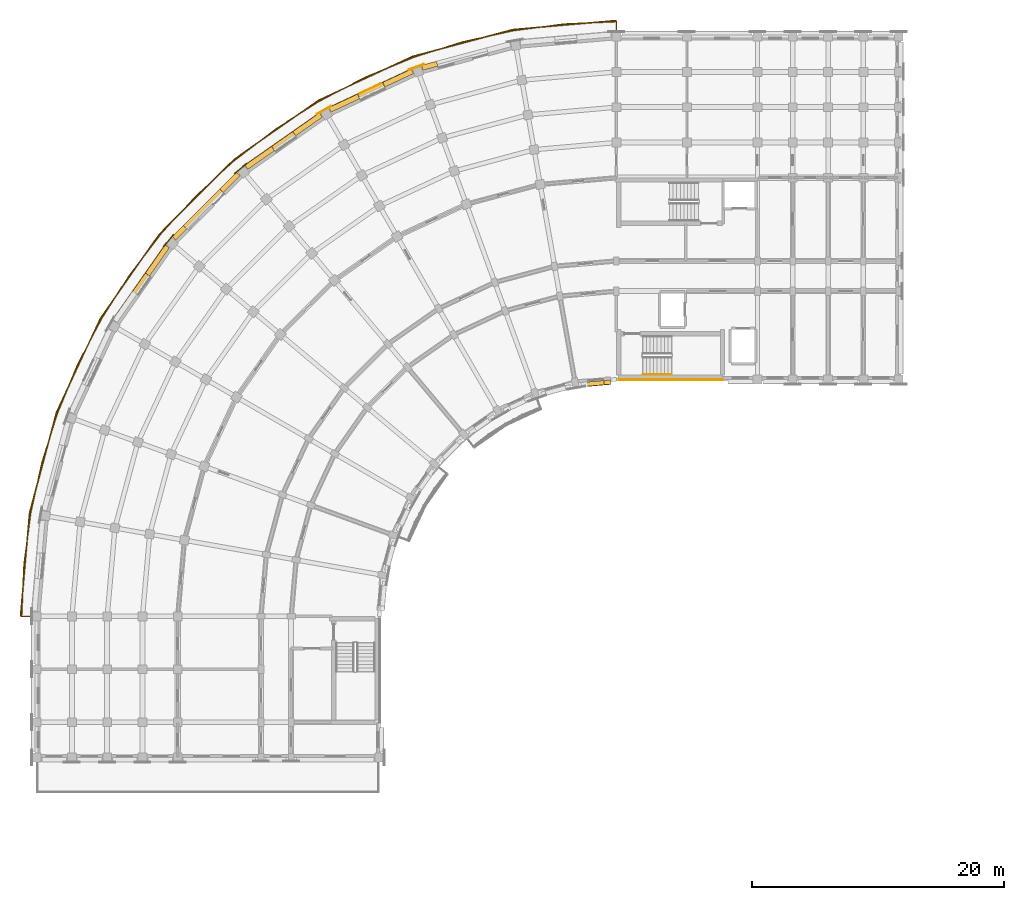
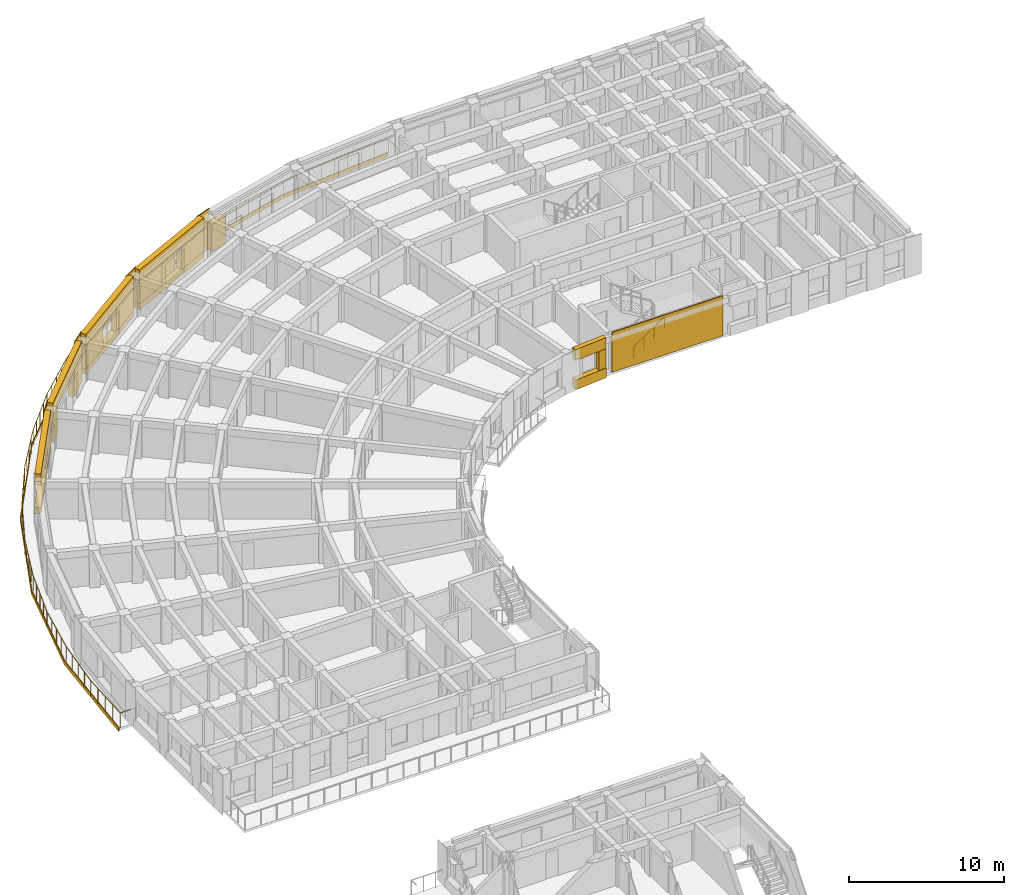
# One storey, part 46 of 54: 24 coverings, 2 railings, 1 shading device.
"""IFC4 building model written with IfcOpenShell, lengths in metres."""

from ifc_helpers import new_model, si_unit, direction, frame, origin, origin_2d, place, context, subcontext, project, spatial, polyline, rectangle, circle, outline, extrude, material, layer, layer_set, type_object, element, save


model = new_model("IFC4")

# Units and contexts
model_context = context("Model", 3, precision=1e-05, world=origin(), true_north=direction((0.0, 1.0)))
body_context = subcontext(model_context, "Body", "Model", "MODEL_VIEW")
ifc_project = project(units=[si_unit("LENGTHUNIT", "METRE"), si_unit("AREAUNIT", "SQUARE_METRE"), si_unit("VOLUMEUNIT", "CUBIC_METRE"), si_unit("PLANEANGLEUNIT", "RADIAN"), si_unit("MASSUNIT", "GRAM", prefix="KILO")], contexts=[model_context])

# Site, building, storey
site_placement = place(None, origin())
site = spatial("IfcSite", under=ifc_project, at=site_placement, CompositionType="ELEMENT")
building_placement = place(site_placement, origin())
building = spatial("IfcBuilding", under=site, at=building_placement, Name="Kiranvali Square Residences", CompositionType="ELEMENT")
storey_placement = place(building_placement, frame((0.0, 0.0, 27.60009765625)))
storey = spatial("IfcBuildingStorey", under=building, at=storey_placement, Name="L08", CompositionType="ELEMENT", Elevation=27.60009765625)

# Coverings
ifc_material_1 = material(Name="Carved Porbandar limestone classical entablature and cornice", Category="masonry")
ifc_layer_1 = layer(ifc_material_1, 0.072021484375)
ifc_layer_set_1 = layer_set([ifc_layer_1], Name="Carved Porbandar limestone classical entablature and cornice")
covering_type_1 = type_object("IfcCoveringType", Name="COV-CLAD-BAL", PredefinedType="CLADDING", material=ifc_layer_set_1)
covering_1_placement = place(storey_placement, frame((0.0, 0.0, -0.239990234375)))
element("IfcCovering", 1, at=covering_1_placement, inside=storey, type_object=covering_type_1, Name="Block A L08 continuous curved limestone balcony fascia", PredefinedType="CLADDING", context=body_context, shape_type="SweptSolid", body=[
    extrude(outline(polyline([(48.199951171875, 135.117919921875), (39.9833984375, 134.399169921875), (32.016357421875, 132.264404296875), (24.541015625, 128.778564453125), (17.78466796875, 124.047607421875), (11.952392578125, 118.21533203125), (7.221435546875, 111.458984375), (3.735595703125, 103.983642578125), (1.600830078125, 96.0166015625), (0.882080078125, 87.800048828125), (0.947998046875, 87.800048828125), (1.665771484375, 96.005126953125), (3.797607421875, 103.961181640625), (7.278564453125, 111.426025390625), (12.0029296875, 118.173095703125), (17.826904296875, 123.9970703125), (24.573974609375, 128.721435546875), (32.038818359375, 132.202392578125), (39.994873046875, 134.334228515625), (48.199951171875, 135.052001953125), (48.199951171875, 135.117919921875)])), origin(), (0.0, 0.0, 1.0), 0.2998046875),
])
ifc_material_2 = material(Name="Honed Porbandar limestone ashlar facade cladding", Category="masonry")
ifc_layer_2 = layer(ifc_material_2, 0.3798828125)
ifc_layer_set_2 = layer_set([ifc_layer_2], Name="Honed Porbandar limestone ashlar facade cladding")
covering_type_2 = type_object("IfcCoveringType", Name="COV-CLAD-JAMB", PredefinedType="CLADDING", material=ifc_layer_set_2)
covering_2_placement = place(storey_placement, origin())
element("IfcCovering", 2, at=covering_2_placement, inside=storey, type_object=covering_type_2, Name="L08 deep limestone window jamb reveal A-L08-CRV-01.R", PredefinedType="CLADDING", context=body_context, shape_type="SweptSolid", body=[
    extrude(outline(polyline([(33.932373046875, 131.843017578125), (32.747314453125, 131.525390625), (32.853271484375, 131.1298828125), (34.038330078125, 131.447265625), (33.932373046875, 131.843017578125)])), origin(), (0.0, 0.0, 1.0), 2.179931640625),
])
covering_3_placement = place(storey_placement, frame((0.0, 0.0, 0.471923828125)))
element("IfcCovering", 3, at=covering_3_placement, inside=storey, type_object=covering_type_2, Name="L08 deep limestone window jamb reveal A-L08-CRV-02.L", PredefinedType="CLADDING", context=body_context, shape_type="SweptSolid", body=[
    extrude(outline(polyline([(31.931396484375, 131.228515625), (29.6572265625, 130.16796875), (29.830322265625, 129.796875), (32.104248046875, 130.857177734375), (31.931396484375, 131.228515625)])), origin(), (0.0, 0.0, 1.0), 1.800048828125),
])
covering_4_placement = place(storey_placement, frame((0.0, 0.0, 0.471923828125)))
element("IfcCovering", 4, at=covering_4_placement, inside=storey, type_object=covering_type_2, Name="L08 deep limestone window jamb reveal A-L08-CRV-02.R", PredefinedType="CLADDING", context=body_context, shape_type="SweptSolid", body=[
    extrude(outline(polyline([(27.663330078125, 129.23828125), (25.38916015625, 128.177734375), (25.562255859375, 127.806640625), (27.83642578125, 128.8671875), (27.663330078125, 129.23828125)])), origin(), (0.0, 0.0, 1.0), 1.800048828125),
])
covering_5_placement = place(storey_placement, frame((0.0, 0.0, 0.421875)))
element("IfcCovering", 5, at=covering_5_placement, inside=storey, type_object=covering_type_2, Name="L08 deep limestone window jamb reveal A-L08-CRV-03.L", PredefinedType="CLADDING", context=body_context, shape_type="SweptSolid", body=[
    extrude(outline(polyline([(24.63720703125, 127.74365234375), (22.520263671875, 126.261474609375), (22.755126953125, 125.926025390625), (24.8720703125, 127.408203125), (24.63720703125, 127.74365234375)])), origin(), (0.0, 0.0, 1.0), 1.85009765625),
])
covering_6_placement = place(storey_placement, frame((0.0, 0.0, 0.421875)))
element("IfcCovering", 6, at=covering_6_placement, inside=storey, type_object=covering_type_2, Name="L08 deep limestone window jamb reveal A-L08-CRV-03.R", PredefinedType="CLADDING", context=body_context, shape_type="SweptSolid", body=[
    extrude(outline(polyline([(20.841064453125, 125.08544921875), (18.724365234375, 123.603271484375), (18.959228515625, 123.267822265625), (21.075927734375, 124.75), (20.841064453125, 125.08544921875)])), origin(), (0.0, 0.0, 1.0), 1.85009765625),
])
covering_7_placement = place(storey_placement, origin())
element("IfcCovering", 7, at=covering_7_placement, inside=storey, type_object=covering_type_2, Name="L08 deep limestone window jamb reveal A-L08-CRV-04.L", PredefinedType="CLADDING", context=body_context, shape_type="SweptSolid", body=[
    extrude(outline(polyline([(18.05908203125, 123.045166015625), (16.732177734375, 121.71826171875), (17.021728515625, 121.4287109375), (18.3486328125, 122.755615234375), (18.05908203125, 123.045166015625)])), origin(), (0.0, 0.0, 1.0), 2.179931640625),
])
covering_8_placement = place(storey_placement, origin())
element("IfcCovering", 8, at=covering_8_placement, inside=storey, type_object=covering_type_2, Name="L08 deep limestone window jamb reveal A-L08-CRV-04.R", PredefinedType="CLADDING", context=body_context, shape_type="SweptSolid", body=[
    extrude(outline(polyline([(13.822265625, 118.808349609375), (12.954833984375, 117.94091796875), (13.244384765625, 117.6513671875), (14.11181640625, 118.518798828125), (13.822265625, 118.808349609375)])), origin(), (0.0, 0.0, 1.0), 2.179931640625),
])
covering_9_placement = place(storey_placement, frame((0.0, 0.0, 0.52197265625)))
element("IfcCovering", 9, at=covering_9_placement, inside=storey, type_object=covering_type_2, Name="L08 deep limestone window jamb reveal A-L08-CRV-05.L", PredefinedType="CLADDING", context=body_context, shape_type="SweptSolid", body=[
    extrude(outline(polyline([(12.396728515625, 117.275634765625), (10.828369140625, 115.0361328125), (11.163818359375, 114.80126953125), (12.732177734375, 117.040771484375), (12.396728515625, 117.275634765625)])), origin(), (0.0, 0.0, 1.0), 1.75),
])
covering_10_placement = place(storey_placement, frame((0.0, 0.0, 0.77197265625)))
element("IfcCovering", 10, at=covering_10_placement, inside=storey, type_object=covering_type_2, Name="L08 deep limestone window jamb reveal A-L08-GDN-00.L", PredefinedType="CLADDING", context=body_context, shape_type="SweptSolid", body=[
    extrude(outline(polyline([(47.76171875, 106.56103515625), (47.21533203125, 106.513427734375), (47.244873046875, 106.175048828125), (47.791259765625, 106.222900390625), (47.76171875, 106.56103515625)])), origin(), (0.0, 0.0, 1.0), 1.5),
])
ifc_layer_3 = layer(ifc_material_2, 0.06494140625)
ifc_layer_set_3 = layer_set([ifc_layer_3], Name="Honed Porbandar limestone ashlar facade cladding")
covering_type_3 = type_object("IfcCoveringType", Name="COV-CLAD-PIER", PredefinedType="CLADDING", material=ifc_layer_set_3)
covering_11_placement = place(storey_placement, frame((0.0, 0.0, 0.0048828125)))
element("IfcCovering", 11, at=covering_11_placement, inside=storey, type_object=covering_type_3, Name="L08 Classical limestone corner pilaster CLAD-PR-A-L08-A02", PredefinedType="CLADDING", context=body_context, shape_type="SweptSolid", body=[
    extrude(outline(polyline([(32.916015625, 131.634033203125), (31.732177734375, 131.203125), (31.755126953125, 131.1396484375), (32.939208984375, 131.57080078125), (32.916015625, 131.634033203125)])), origin(), (0.0, 0.0, 1.0), 3.14013671875),
])
covering_12_placement = place(storey_placement, frame((0.0, 0.0, 0.0048828125)))
element("IfcCovering", 12, at=covering_12_placement, inside=storey, type_object=covering_type_3, Name="L08 Classical limestone corner pilaster CLAD-PR-A-L08-A03", PredefinedType="CLADDING", context=body_context, shape_type="SweptSolid", body=[
    extrude(outline(polyline([(25.53662109375, 128.314208984375), (24.4453125, 127.68408203125), (24.479248046875, 127.625732421875), (25.5703125, 128.255615234375), (25.53662109375, 128.314208984375)])), origin(), (0.0, 0.0, 1.0), 3.14013671875),
])
covering_13_placement = place(storey_placement, frame((0.0, 0.0, 0.0048828125)))
element("IfcCovering", 13, at=covering_13_placement, inside=storey, type_object=covering_type_3, Name="L08 Classical limestone corner pilaster CLAD-PR-A-L08-A04", PredefinedType="CLADDING", context=body_context, shape_type="SweptSolid", body=[
    extrude(outline(polyline([(18.845703125, 123.76318359375), (17.88037109375, 122.953369140625), (17.923828125, 122.901611328125), (18.88916015625, 123.71142578125), (18.845703125, 123.76318359375)])), origin(), (0.0, 0.0, 1.0), 3.14013671875),
])
covering_14_placement = place(storey_placement, frame((0.0, 0.0, 0.0048828125)))
element("IfcCovering", 14, at=covering_14_placement, inside=storey, type_object=covering_type_3, Name="L08 Classical limestone corner pilaster CLAD-PR-A-L08-A05", PredefinedType="CLADDING", context=body_context, shape_type="SweptSolid", body=[
    extrude(outline(polyline([(13.046630859375, 118.11962890625), (12.23681640625, 117.154296875), (12.28857421875, 117.11083984375), (13.098388671875, 118.076171875), (13.046630859375, 118.11962890625)])), origin(), (0.0, 0.0, 1.0), 3.14013671875),
])
covering_15_placement = place(storey_placement, frame((0.0, 0.0, 0.0048828125)))
element("IfcCovering", 15, at=covering_15_placement, inside=storey, type_object=covering_type_3, Name="Block A L08 garden stair limestone ashlar cladding", PredefinedType="CLADDING", context=body_context, shape_type="SweptSolid", body=[
    extrude(outline(polyline([(48.39990234375, 106.52001953125), (56.64990234375, 106.52001953125), (56.64990234375, 106.597900390625), (48.39990234375, 106.597900390625), (48.39990234375, 106.52001953125)])), origin(), (0.0, 0.0, 1.0), 3.14013671875),
])
ifc_layer_4 = layer(ifc_material_2, 0.360107421875)
ifc_layer_set_4 = layer_set([ifc_layer_4], Name="Honed Porbandar limestone ashlar facade cladding")
covering_type_4 = type_object("IfcCoveringType", Name="COV-CLAD-WALL", PredefinedType="CLADDING", material=ifc_layer_set_4)
covering_16_placement = place(storey_placement, frame((0.0, 0.0, 2.27197265625)))
element("IfcCovering", 16, at=covering_16_placement, inside=storey, type_object=covering_type_4, Name="L08 light limestone spandrel lintel A-L08-CRV-02", PredefinedType="CLADDING", context=body_context, shape_type="SweptSolid", body=[
    extrude(outline(polyline([(31.931396484375, 131.228515625), (25.38916015625, 128.177734375), (25.562255859375, 127.806640625), (32.104248046875, 130.857177734375), (31.931396484375, 131.228515625)])), origin(), (0.0, 0.0, 1.0), 0.873046875),
])
covering_17_placement = place(storey_placement, frame((0.0, 0.0, 0.0048828125)))
element("IfcCovering", 17, at=covering_17_placement, inside=storey, type_object=covering_type_4, Name="L08 limestone window sill apron A-L08-CRV-02", PredefinedType="CLADDING", context=body_context, shape_type="SweptSolid", body=[
    extrude(outline(polyline([(31.918701171875, 131.255615234375), (25.37646484375, 128.205078125), (25.562255859375, 127.806640625), (32.104248046875, 130.857177734375), (31.918701171875, 131.255615234375)])), origin(), (0.0, 0.0, 1.0), 0.467041015625),
])
covering_18_placement = place(storey_placement, frame((0.0, 0.0, 2.27197265625)))
element("IfcCovering", 18, at=covering_18_placement, inside=storey, type_object=covering_type_4, Name="L08 light limestone spandrel lintel A-L08-CRV-03", PredefinedType="CLADDING", context=body_context, shape_type="SweptSolid", body=[
    extrude(outline(polyline([(24.63720703125, 127.74365234375), (18.724365234375, 123.603271484375), (18.959228515625, 123.267822265625), (24.8720703125, 127.408203125), (24.63720703125, 127.74365234375)])), origin(), (0.0, 0.0, 1.0), 0.873046875),
])
covering_19_placement = place(storey_placement, frame((0.0, 0.0, 0.0048828125)))
element("IfcCovering", 19, at=covering_19_placement, inside=storey, type_object=covering_type_4, Name="L08 limestone window sill apron A-L08-CRV-03", PredefinedType="CLADDING", context=body_context, shape_type="SweptSolid", body=[
    extrude(outline(polyline([(24.619873046875, 127.76806640625), (18.70703125, 123.6279296875), (18.959228515625, 123.267822265625), (24.8720703125, 127.408203125), (24.619873046875, 127.76806640625)])), origin(), (0.0, 0.0, 1.0), 0.4169921875),
])
covering_20_placement = place(storey_placement, frame((0.0, 0.0, 2.179931640625)))
element("IfcCovering", 20, at=covering_20_placement, inside=storey, type_object=covering_type_4, Name="L08 light limestone spandrel lintel A-L08-CRV-04", PredefinedType="CLADDING", context=body_context, shape_type="SweptSolid", body=[
    extrude(outline(polyline([(18.05908203125, 123.045166015625), (12.954833984375, 117.94091796875), (13.244384765625, 117.6513671875), (18.3486328125, 122.755615234375), (18.05908203125, 123.045166015625)])), origin(), (0.0, 0.0, 1.0), 0.965087890625),
])
covering_21_placement = place(storey_placement, frame((0.0, 0.0, 2.27197265625)))
element("IfcCovering", 21, at=covering_21_placement, inside=storey, type_object=covering_type_4, Name="L08 light limestone spandrel lintel A-L08-CRV-05", PredefinedType="CLADDING", context=body_context, shape_type="SweptSolid", body=[
    extrude(outline(polyline([(12.396728515625, 117.275634765625), (8.25634765625, 111.36279296875), (8.591796875, 111.1279296875), (12.732177734375, 117.040771484375), (12.396728515625, 117.275634765625)])), origin(), (0.0, 0.0, 1.0), 0.873046875),
])
covering_22_placement = place(storey_placement, frame((0.0, 0.0, 0.0048828125)))
element("IfcCovering", 22, at=covering_22_placement, inside=storey, type_object=covering_type_4, Name="L08 limestone window sill apron A-L08-CRV-05", PredefinedType="CLADDING", context=body_context, shape_type="SweptSolid", body=[
    extrude(outline(polyline([(12.3720703125, 117.29296875), (8.23193359375, 111.380126953125), (8.591796875, 111.1279296875), (12.732177734375, 117.040771484375), (12.3720703125, 117.29296875)])), origin(), (0.0, 0.0, 1.0), 0.51708984375),
])
covering_23_placement = place(storey_placement, frame((0.0, 0.0, 2.27197265625)))
element("IfcCovering", 23, at=covering_23_placement, inside=storey, type_object=covering_type_4, Name="L08 light limestone spandrel lintel A-L08-GDN-00", PredefinedType="CLADDING", context=body_context, shape_type="SweptSolid", body=[
    extrude(outline(polyline([(47.76171875, 106.56103515625), (45.373779296875, 106.352294921875), (45.4033203125, 106.013916015625), (47.791259765625, 106.222900390625), (47.76171875, 106.56103515625)])), origin(), (0.0, 0.0, 1.0), 0.873046875),
])
ifc_layer_5 = layer(ifc_material_2, 0.2900390625)
ifc_layer_set_5 = layer_set([ifc_layer_5], Name="Honed Porbandar limestone ashlar facade cladding")
covering_type_5 = type_object("IfcCoveringType", Name="COV-CLAD-WALL-IN", PredefinedType="CLADDING", material=ifc_layer_set_5)
covering_24_placement = place(storey_placement, frame((0.0, 0.0, 0.0048828125)))
element("IfcCovering", 24, at=covering_24_placement, inside=storey, type_object=covering_type_5, Name="L08 limestone window sill apron A-L08-GDN-00", PredefinedType="CLADDING", context=body_context, shape_type="SweptSolid", body=[
    extrude(outline(polyline([(47.76171875, 106.56103515625), (45.373779296875, 106.352294921875), (45.406005859375, 105.984130859375), (47.7939453125, 106.193115234375), (47.76171875, 106.56103515625)])), origin(), (0.0, 0.0, 1.0), 0.76708984375),
])

# Railings
ifc_material_3 = material(Name="Powder-coated architectural bronze balustrade", Category="steel")
railing_type_1 = type_object("IfcRailingType", Name="RL-BAL-GOLD-1200", PredefinedType="BALUSTRADE", material=ifc_material_3)
railing_1_placement = place(storey_placement, frame((48.199951171875, 133.840087890625, 0.0)))
element("IfcRailing", 25, at=railing_1_placement, inside=storey, type_object=railing_type_1, Name="Block A L08 continuous curved corner gold balustrade", PredefinedType="BALUSTRADE", context=body_context, shape_type="SweptSolid", body=[
    extrude(circle(Radius=0.02392578125, at=origin_2d()), frame((0.0, 0.0, 1.17578125), z_axis=(0.0, 1.0, 0.0), x_axis=(-1.0, 0.0, 0.0)), (0.0, 0.0, 1.0), 1.14990234375),
    extrude(circle(Radius=0.02392578125, at=origin_2d()), frame((0.0, 1.14990234375, 1.17578125), z_axis=(-0.999049544955, -0.043589066576, 0.0), x_axis=(0.043589066576, -0.999049544955, 0.0)), (0.0, 0.0, 1.0), 4.11669921875),
    extrude(circle(Radius=0.02392578125, at=origin_2d()), frame((-4.11279296875, 0.970458984375, 1.17578125), z_axis=(-0.991444603928, -0.1305281477, 0.0), x_axis=(0.1305281477, -0.991444603928, 0.0)), (0.0, 0.0, 1.0), 4.11669921875),
    extrude(circle(Radius=0.02392578125, at=origin_2d()), frame((-8.1943359375, 0.43310546875, 1.17578125), z_axis=(-0.976292989924, -0.216453223181, 0.0), x_axis=(0.216453223181, -0.976292989924, 0.0)), (0.0, 0.0, 1.0), 4.116943359375),
    extrude(circle(Radius=0.02392578125, at=origin_2d()), frame((-12.213623046875, -0.4580078125, 1.17578125), z_axis=(-0.953710744932, -0.300725481131, 0.0), x_axis=(0.300725481131, -0.953710744932, 0.0)), (0.0, 0.0, 1.0), 4.116943359375),
    extrude(circle(Radius=0.02392578125, at=origin_2d()), frame((-16.139892578125, -1.696044921875, 1.17578125), z_axis=(-0.923880226262, -0.382681757498, 0.0), x_axis=(0.382681757498, -0.923880226262, 0.0)), (0.0, 0.0, 1.0), 4.116943359375),
    extrude(circle(Radius=0.02392578125, at=origin_2d()), frame((-19.943359375, -3.271484375, 1.17578125), z_axis=(-0.887013781313, -0.461742949877, 0.0), x_axis=(0.461742949877, -0.887013781313, 0.0)), (0.0, 0.0, 1.0), 4.11669921875),
    extrude(circle(Radius=0.02392578125, at=origin_2d()), frame((-23.594970703125, -5.17236328125, 1.17578125), z_axis=(-0.843402550976, -0.537282176335, 0.0), x_axis=(0.537282176335, -0.843402550976, 0.0)), (0.0, 0.0, 1.0), 4.116943359375),
    extrude(circle(Radius=0.02392578125, at=origin_2d()), frame((-27.067138671875, -7.38427734375, 1.17578125), z_axis=(-0.793339967331, -0.608778856594, 0.0), x_axis=(0.608778856594, -0.793339967331, 0.0)), (0.0, 0.0, 1.0), 4.11669921875),
    extrude(circle(Radius=0.02392578125, at=origin_2d()), frame((-30.3330078125, -9.890380859375, 1.17578125), z_axis=(-0.737299356654, -0.675566176386, 0.0), x_axis=(0.675566176386, -0.737299356654, 0.0)), (0.0, 0.0, 1.0), 4.116943359375),
    extrude(circle(Radius=0.02392578125, at=origin_2d()), frame((-33.368408203125, -12.671630859375, 1.17578125), z_axis=(-0.675566176386, -0.737299356654, 0.0), x_axis=(0.737299356654, -0.675566176386, 0.0)), (0.0, 0.0, 1.0), 4.116943359375),
    extrude(circle(Radius=0.02392578125, at=origin_2d()), frame((-36.149658203125, -15.70703125, 1.17578125), z_axis=(-0.608778856594, -0.793339967331, 0.0), x_axis=(0.793339967331, -0.608778856594, 0.0)), (0.0, 0.0, 1.0), 4.11669921875),
    extrude(circle(Radius=0.02392578125, at=origin_2d()), frame((-38.65576171875, -18.972900390625, 1.17578125), z_axis=(-0.537282176335, -0.843402550976, 0.0), x_axis=(0.843402550976, -0.537282176335, 0.0)), (0.0, 0.0, 1.0), 4.116943359375),
    extrude(circle(Radius=0.02392578125, at=origin_2d()), frame((-40.86767578125, -22.445068359375, 1.17578125), z_axis=(-0.461742949877, -0.887013781313, 0.0), x_axis=(0.887013781313, -0.461742949877, 0.0)), (0.0, 0.0, 1.0), 4.11669921875),
    extrude(circle(Radius=0.02392578125, at=origin_2d()), frame((-42.7685546875, -26.0966796875, 1.17578125), z_axis=(-0.382681757498, -0.923880226262, 0.0), x_axis=(0.923880226262, -0.382681757498, 0.0)), (0.0, 0.0, 1.0), 4.116943359375),
    extrude(circle(Radius=0.02392578125, at=origin_2d()), frame((-44.343994140625, -29.900146484375, 1.17578125), z_axis=(-0.300725481131, -0.953710744932, 0.0), x_axis=(0.953710744932, -0.300725481131, 0.0)), (0.0, 0.0, 1.0), 4.116943359375),
    extrude(circle(Radius=0.02392578125, at=origin_2d()), frame((-45.58203125, -33.826416015625, 1.17578125), z_axis=(-0.216453223181, -0.976292989924, 0.0), x_axis=(0.976292989924, -0.216453223181, 0.0)), (0.0, 0.0, 1.0), 4.116943359375),
    extrude(circle(Radius=0.02392578125, at=origin_2d()), frame((-46.47314453125, -37.845703125, 1.17578125), z_axis=(-0.1305281477, -0.991444603928, 0.0), x_axis=(0.991444603928, -0.1305281477, 0.0)), (0.0, 0.0, 1.0), 4.11669921875),
    extrude(circle(Radius=0.02392578125, at=origin_2d()), frame((-47.010498046875, -41.92724609375, 1.17578125), z_axis=(-0.043589066576, -0.999049544955, 0.0), x_axis=(0.999049544955, -0.043589066576, 0.0)), (0.0, 0.0, 1.0), 4.11669921875),
    extrude(circle(Radius=0.02392578125, at=origin_2d()), frame((-47.18994140625, -46.0400390625, 1.17578125), z_axis=(1.0, 0.0, 0.0), x_axis=(0.0, 1.0, 0.0)), (0.0, 0.0, 1.0), 1.14990234375),
    extrude(circle(Radius=0.02099609375, at=origin_2d()), origin(), (0.0, 0.0, 1.0), 1.15185546875),
    extrude(circle(Radius=0.02099609375, at=origin_2d()), frame((0.0, 1.14990234375, 0.0)), (0.0, 0.0, 1.0), 1.15185546875),
    extrude(circle(Radius=0.02099609375, at=origin_2d()), frame((-1.0283203125, 1.10498046875, 0.0)), (0.0, 0.0, 1.0), 1.15185546875),
    extrude(circle(Radius=0.02099609375, at=origin_2d()), frame((-2.056396484375, 1.06005859375, 0.0)), (0.0, 0.0, 1.0), 1.15185546875),
    extrude(circle(Radius=0.02099609375, at=origin_2d()), frame((-3.08447265625, 1.015380859375, 0.0)), (0.0, 0.0, 1.0), 1.15185546875),
    extrude(circle(Radius=0.02099609375, at=origin_2d()), frame((-4.11279296875, 0.970458984375, 0.0)), (0.0, 0.0, 1.0), 1.15185546875),
    extrude(circle(Radius=0.02099609375, at=origin_2d()), frame((-5.13330078125, 0.836181640625, 0.0)), (0.0, 0.0, 1.0), 1.15185546875),
    extrude(circle(Radius=0.02099609375, at=origin_2d()), frame((-6.153564453125, 0.70166015625, 0.0)), (0.0, 0.0, 1.0), 1.15185546875),
    extrude(circle(Radius=0.02099609375, at=origin_2d()), frame((-7.173828125, 0.5673828125, 0.0)), (0.0, 0.0, 1.0), 1.15185546875),
    extrude(circle(Radius=0.02099609375, at=origin_2d()), frame((-8.1943359375, 0.43310546875, 0.0)), (0.0, 0.0, 1.0), 1.15185546875),
    extrude(circle(Radius=0.02099609375, at=origin_2d()), frame((-9.19921875, 0.21044921875, 0.0)), (0.0, 0.0, 1.0), 1.15185546875),
    extrude(circle(Radius=0.02099609375, at=origin_2d()), frame((-10.2041015625, -0.012451171875, 0.0)), (0.0, 0.0, 1.0), 1.15185546875),
    extrude(circle(Radius=0.02099609375, at=origin_2d()), frame((-11.208740234375, -0.2353515625, 0.0)), (0.0, 0.0, 1.0), 1.15185546875),
    extrude(circle(Radius=0.02099609375, at=origin_2d()), frame((-12.213623046875, -0.4580078125, 0.0)), (0.0, 0.0, 1.0), 1.15185546875),
    extrude(circle(Radius=0.02099609375, at=origin_2d()), frame((-13.1953125, -0.767578125, 0.0)), (0.0, 0.0, 1.0), 1.15185546875),
    extrude(circle(Radius=0.02099609375, at=origin_2d()), frame((-14.1767578125, -1.0771484375, 0.0)), (0.0, 0.0, 1.0), 1.15185546875),
    extrude(circle(Radius=0.02099609375, at=origin_2d()), frame((-15.158203125, -1.386474609375, 0.0)), (0.0, 0.0, 1.0), 1.15185546875),
    extrude(circle(Radius=0.02099609375, at=origin_2d()), frame((-16.139892578125, -1.696044921875, 0.0)), (0.0, 0.0, 1.0), 1.15185546875),
    extrude(circle(Radius=0.02099609375, at=origin_2d()), frame((-17.0908203125, -2.08984375, 0.0)), (0.0, 0.0, 1.0), 1.15185546875),
    extrude(circle(Radius=0.02099609375, at=origin_2d()), frame((-18.04150390625, -2.48388671875, 0.0)), (0.0, 0.0, 1.0), 1.15185546875),
    extrude(circle(Radius=0.02099609375, at=origin_2d()), frame((-18.992431640625, -2.877685546875, 0.0)), (0.0, 0.0, 1.0), 1.15185546875),
    extrude(circle(Radius=0.02099609375, at=origin_2d()), frame((-19.943359375, -3.271484375, 0.0)), (0.0, 0.0, 1.0), 1.15185546875),
    extrude(circle(Radius=0.02099609375, at=origin_2d()), frame((-20.856201171875, -3.74658203125, 0.0)), (0.0, 0.0, 1.0), 1.15185546875),
    extrude(circle(Radius=0.02099609375, at=origin_2d()), frame((-21.76904296875, -4.221923828125, 0.0)), (0.0, 0.0, 1.0), 1.15185546875),
    extrude(circle(Radius=0.02099609375, at=origin_2d()), frame((-22.68212890625, -4.697265625, 0.0)), (0.0, 0.0, 1.0), 1.15185546875),
    extrude(circle(Radius=0.02099609375, at=origin_2d()), frame((-23.594970703125, -5.17236328125, 0.0)), (0.0, 0.0, 1.0), 1.15185546875),
    extrude(circle(Radius=0.02099609375, at=origin_2d()), frame((-24.462890625, -5.725341796875, 0.0)), (0.0, 0.0, 1.0), 1.15185546875),
    extrude(circle(Radius=0.02099609375, at=origin_2d()), frame((-25.3310546875, -6.2783203125, 0.0)), (0.0, 0.0, 1.0), 1.15185546875),
    extrude(circle(Radius=0.02099609375, at=origin_2d()), frame((-26.19921875, -6.831298828125, 0.0)), (0.0, 0.0, 1.0), 1.15185546875),
    extrude(circle(Radius=0.02099609375, at=origin_2d()), frame((-27.067138671875, -7.38427734375, 0.0)), (0.0, 0.0, 1.0), 1.15185546875),
    extrude(circle(Radius=0.02099609375, at=origin_2d()), frame((-27.883544921875, -8.0107421875, 0.0)), (0.0, 0.0, 1.0), 1.15185546875),
    extrude(circle(Radius=0.02099609375, at=origin_2d()), frame((-28.7001953125, -8.63720703125, 0.0)), (0.0, 0.0, 1.0), 1.15185546875),
    extrude(circle(Radius=0.02099609375, at=origin_2d()), frame((-29.5166015625, -9.263916015625, 0.0)), (0.0, 0.0, 1.0), 1.15185546875),
    extrude(circle(Radius=0.02099609375, at=origin_2d()), frame((-30.3330078125, -9.890380859375, 0.0)), (0.0, 0.0, 1.0), 1.15185546875),
    extrude(circle(Radius=0.02099609375, at=origin_2d()), frame((-31.091796875, -10.585693359375, 0.0)), (0.0, 0.0, 1.0), 1.15185546875),
    extrude(circle(Radius=0.02099609375, at=origin_2d()), frame((-31.8505859375, -11.281005859375, 0.0)), (0.0, 0.0, 1.0), 1.15185546875),
    extrude(circle(Radius=0.02099609375, at=origin_2d()), frame((-32.609619140625, -11.976318359375, 0.0)), (0.0, 0.0, 1.0), 1.15185546875),
    extrude(circle(Radius=0.02099609375, at=origin_2d()), frame((-33.368408203125, -12.671630859375, 0.0)), (0.0, 0.0, 1.0), 1.15185546875),
    extrude(circle(Radius=0.02099609375, at=origin_2d()), frame((-34.063720703125, -13.430419921875, 0.0)), (0.0, 0.0, 1.0), 1.15185546875),
    extrude(circle(Radius=0.02099609375, at=origin_2d()), frame((-34.759033203125, -14.189453125, 0.0)), (0.0, 0.0, 1.0), 1.15185546875),
    extrude(circle(Radius=0.02099609375, at=origin_2d()), frame((-35.454345703125, -14.9482421875, 0.0)), (0.0, 0.0, 1.0), 1.15185546875),
    extrude(circle(Radius=0.02099609375, at=origin_2d()), frame((-36.149658203125, -15.70703125, 0.0)), (0.0, 0.0, 1.0), 1.15185546875),
    extrude(circle(Radius=0.02099609375, at=origin_2d()), frame((-36.776123046875, -16.5234375, 0.0)), (0.0, 0.0, 1.0), 1.15185546875),
    extrude(circle(Radius=0.02099609375, at=origin_2d()), frame((-37.40283203125, -17.33984375, 0.0)), (0.0, 0.0, 1.0), 1.15185546875),
    extrude(circle(Radius=0.02099609375, at=origin_2d()), frame((-38.029296875, -18.156494140625, 0.0)), (0.0, 0.0, 1.0), 1.15185546875),
    extrude(circle(Radius=0.02099609375, at=origin_2d()), frame((-38.65576171875, -18.972900390625, 0.0)), (0.0, 0.0, 1.0), 1.15185546875),
    extrude(circle(Radius=0.02099609375, at=origin_2d()), frame((-39.208740234375, -19.8408203125, 0.0)), (0.0, 0.0, 1.0), 1.15185546875),
    extrude(circle(Radius=0.02099609375, at=origin_2d()), frame((-39.76171875, -20.708984375, 0.0)), (0.0, 0.0, 1.0), 1.15185546875),
    extrude(circle(Radius=0.02099609375, at=origin_2d()), frame((-40.314697265625, -21.5771484375, 0.0)), (0.0, 0.0, 1.0), 1.15185546875),
    extrude(circle(Radius=0.02099609375, at=origin_2d()), frame((-40.86767578125, -22.445068359375, 0.0)), (0.0, 0.0, 1.0), 1.15185546875),
    extrude(circle(Radius=0.02099609375, at=origin_2d()), frame((-41.3427734375, -23.35791015625, 0.0)), (0.0, 0.0, 1.0), 1.15185546875),
    extrude(circle(Radius=0.02099609375, at=origin_2d()), frame((-41.818115234375, -24.27099609375, 0.0)), (0.0, 0.0, 1.0), 1.15185546875),
    extrude(circle(Radius=0.02099609375, at=origin_2d()), frame((-42.29345703125, -25.183837890625, 0.0)), (0.0, 0.0, 1.0), 1.15185546875),
    extrude(circle(Radius=0.02099609375, at=origin_2d()), frame((-42.7685546875, -26.0966796875, 0.0)), (0.0, 0.0, 1.0), 1.15185546875),
    extrude(circle(Radius=0.02099609375, at=origin_2d()), frame((-43.162353515625, -27.047607421875, 0.0)), (0.0, 0.0, 1.0), 1.15185546875),
    extrude(circle(Radius=0.02099609375, at=origin_2d()), frame((-43.55615234375, -27.99853515625, 0.0)), (0.0, 0.0, 1.0), 1.15185546875),
    extrude(circle(Radius=0.02099609375, at=origin_2d()), frame((-43.9501953125, -28.94921875, 0.0)), (0.0, 0.0, 1.0), 1.15185546875),
    extrude(circle(Radius=0.02099609375, at=origin_2d()), frame((-44.343994140625, -29.900146484375, 0.0)), (0.0, 0.0, 1.0), 1.15185546875),
    extrude(circle(Radius=0.02099609375, at=origin_2d()), frame((-44.653564453125, -30.8818359375, 0.0)), (0.0, 0.0, 1.0), 1.15185546875),
    extrude(circle(Radius=0.02099609375, at=origin_2d()), frame((-44.962890625, -31.86328125, 0.0)), (0.0, 0.0, 1.0), 1.15185546875),
    extrude(circle(Radius=0.02099609375, at=origin_2d()), frame((-45.2724609375, -32.8447265625, 0.0)), (0.0, 0.0, 1.0), 1.15185546875),
    extrude(circle(Radius=0.02099609375, at=origin_2d()), frame((-45.58203125, -33.826416015625, 0.0)), (0.0, 0.0, 1.0), 1.15185546875),
    extrude(circle(Radius=0.02099609375, at=origin_2d()), frame((-45.8046875, -34.831298828125, 0.0)), (0.0, 0.0, 1.0), 1.15185546875),
    extrude(circle(Radius=0.02099609375, at=origin_2d()), frame((-46.027587890625, -35.8359375, 0.0)), (0.0, 0.0, 1.0), 1.15185546875),
    extrude(circle(Radius=0.02099609375, at=origin_2d()), frame((-46.25048828125, -36.8408203125, 0.0)), (0.0, 0.0, 1.0), 1.15185546875),
    extrude(circle(Radius=0.02099609375, at=origin_2d()), frame((-46.47314453125, -37.845703125, 0.0)), (0.0, 0.0, 1.0), 1.15185546875),
    extrude(circle(Radius=0.02099609375, at=origin_2d()), frame((-46.607421875, -38.8662109375, 0.0)), (0.0, 0.0, 1.0), 1.15185546875),
    extrude(circle(Radius=0.02099609375, at=origin_2d()), frame((-46.74169921875, -39.886474609375, 0.0)), (0.0, 0.0, 1.0), 1.15185546875),
    extrude(circle(Radius=0.02099609375, at=origin_2d()), frame((-46.876220703125, -40.90673828125, 0.0)), (0.0, 0.0, 1.0), 1.15185546875),
    extrude(circle(Radius=0.02099609375, at=origin_2d()), frame((-47.010498046875, -41.92724609375, 0.0)), (0.0, 0.0, 1.0), 1.15185546875),
    extrude(circle(Radius=0.02099609375, at=origin_2d()), frame((-47.055419921875, -42.95556640625, 0.0)), (0.0, 0.0, 1.0), 1.15185546875),
    extrude(circle(Radius=0.02099609375, at=origin_2d()), frame((-47.10009765625, -43.983642578125, 0.0)), (0.0, 0.0, 1.0), 1.15185546875),
    extrude(circle(Radius=0.02099609375, at=origin_2d()), frame((-47.14501953125, -45.01171875, 0.0)), (0.0, 0.0, 1.0), 1.15185546875),
    extrude(circle(Radius=0.02099609375, at=origin_2d()), frame((-47.18994140625, -46.0400390625, 0.0)), (0.0, 0.0, 1.0), 1.15185546875),
    extrude(circle(Radius=0.02099609375, at=origin_2d()), frame((-46.0400390625, -46.0400390625, 0.0)), (0.0, 0.0, 1.0), 1.15185546875),
])
ifc_material_4 = material(Name="Brushed stainless steel tubular handrail", Category="steel")
railing_type_2 = type_object("IfcRailingType", Name="RL-HANDRAIL-900", PredefinedType="HANDRAIL", material=ifc_material_4)
railing_2_placement = place(storey_placement, frame((50.300048828125, 107.0, 0.1748046875)))
element("IfcRailing", 26, at=railing_2_placement, inside=storey, type_object=railing_type_2, Name="L08 ST-A2 stair handrail 1", PredefinedType="HANDRAIL", context=body_context, shape_type="SweptSolid", body=[
    extrude(circle(Radius=0.02392578125, at=origin_2d()), frame((0.0, 0.0, 0.8759765625), z_axis=(0.82274681792, 0.0, 0.568408016835), x_axis=(0.0, 1.0, 0.0)), (0.0, 0.0, 1.0), 2.771240234375),
    extrude(circle(Radius=0.02099609375, at=origin_2d()), origin(), (0.0, 0.0, 1.0), 0.851806640625),
    extrude(circle(Radius=0.02099609375, at=origin_2d()), frame((0.760009765625, 0.0, 0.525146484375)), (0.0, 0.0, 1.0), 0.851806640625),
    extrude(circle(Radius=0.02099609375, at=origin_2d()), frame((1.52001953125, 0.0, 1.050048828125)), (0.0, 0.0, 1.0), 0.851806640625),
    extrude(circle(Radius=0.02099609375, at=origin_2d()), frame((2.280029296875, 0.0, 1.5751953125)), (0.0, 0.0, 1.0), 0.851806640625),
])

# Shading device
ifc_material_5 = material(Name="Pierced buff sandstone architectural mashrabiya solar screen", Category="masonry")
shading_device_type = type_object("IfcShadingDeviceType", Name="SHD-JALI-2100", PredefinedType="JALOUSIE", material=ifc_material_5)
shading_device_placement = place(storey_placement, frame((28.668701171875, 129.68505859375, 0.4716796875), z_axis=(0.0, 0.0, 1.0), x_axis=(-0.906307787037, -0.422618261741, 0.0)))
element("IfcShadingDevice", 27, at=shading_device_placement, inside=storey, type_object=shading_device_type, Name="L08 carved stone Mashrabiya screen A-L08-CRV-02", PredefinedType="JALOUSIE", context=body_context, shape_type="SweptSolid", body=[
    extrude(rectangle(XDim=1.800048828125, YDim=0.044921875, at=origin_2d()), origin(), (0.0, 0.0, 1.0), 1.800048828125),
])

save(model, "model.ifc")
